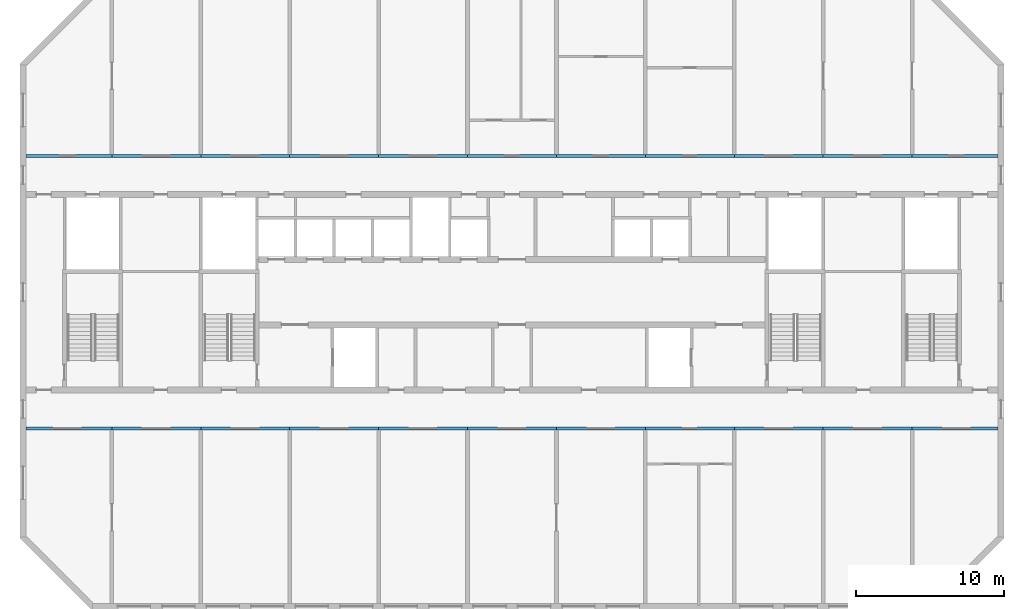
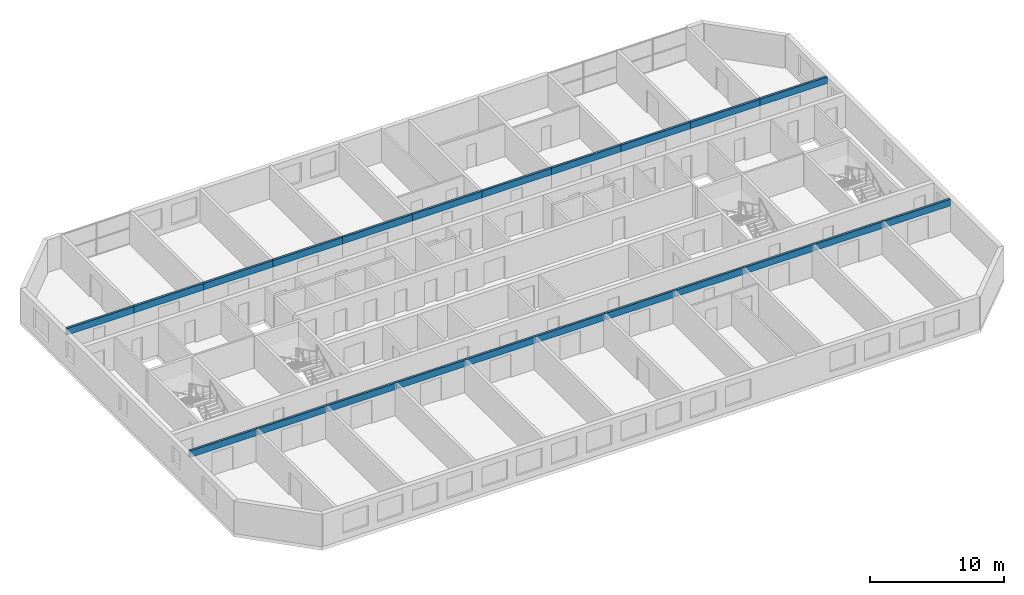
# One storey, part 1 of 13: 22 beams.
"""IFC4 building model written with IfcOpenShell, lengths in metres."""

from ifc_helpers import new_model, si_unit, direction, frame, origin, origin_2d, place, context, subcontext, project, spatial, rectangle, extrude, source, transform, mapped, material, material_profile, profile_set, type_object, element, save


model = new_model("IFC4")

# Units and contexts
model_context = context("Model", 3, precision=1e-05, world=origin(), true_north=direction((0.0, 1.0)))
body_context = subcontext(model_context, "Body", "Model", "MODEL_VIEW")
ifc_project = project(units=[si_unit("LENGTHUNIT", "METRE"), si_unit("AREAUNIT", "SQUARE_METRE"), si_unit("VOLUMEUNIT", "CUBIC_METRE"), si_unit("PLANEANGLEUNIT", "RADIAN"), si_unit("MASSUNIT", "GRAM", prefix="KILO")], contexts=[model_context])

# Site, building, storey
site_placement = place(None, origin())
site = spatial("IfcSite", under=ifc_project, at=site_placement, CompositionType="ELEMENT")
building_placement = place(site_placement, origin())
building = spatial("IfcBuilding", under=site, at=building_placement, Name="Poui Terraces", CompositionType="ELEMENT")
storey_placement = place(building_placement, frame((0.0, 0.0, 211.5)))
storey = spatial("IfcBuildingStorey", under=building, at=storey_placement, Name="L59", CompositionType="ELEMENT", Elevation=211.5)

# Beams
ifc_material = material(Name="Concrete 50 MPa", Category="concrete")
ifc_material_profile = material_profile(ifc_material, rectangle(XDim=0.199951171875, YDim=0.60009765625, at=origin_2d()), Name="RC 200x600")
ifc_profile_set = profile_set([ifc_material_profile], Name="Concrete 50 MPa")
beam_type = type_object("IfcBeamType", Name="COUPLING BEAM 200x600 50MPa", PredefinedType="BEAM", material=ifc_profile_set)
shared_shape_1 = source(origin(), body_context, "Body", "SweptSolid", [
    extrude(rectangle(XDim=0.199951171875, YDim=0.60009765625, at=origin_2d()), origin(), (0.0, 0.0, 1.0), 5.800048828125),
])
for number, where, z_axis, x_axis, name in (
    (1, (18.199951171875, 12.0, 2.64990234375), (1.0, 0.0, 0.0), (0.0, 1.0, 0.0), "COUPLING BEAM LINE B BAY 1"),
    (2, (78.0, 12.0, 2.64990234375), (1.0, 0.0, 0.0), (0.0, 1.0, 0.0), "COUPLING BEAM LINE B BAY 11"),
    (3, (18.199951171875, 30.39990234375, 2.64990234375), (1.0, 0.0, 0.0), (0.0, 1.0, 0.0), "COUPLING BEAM LINE E BAY 1"),
    (4, (78.0, 30.39990234375, 2.64990234375), (1.0, 0.0, 0.0), (0.0, 1.0, 0.0), "COUPLING BEAM LINE E BAY 11"),
):
    element("IfcBeam", number, at=place(storey_placement, frame(where, z_axis=z_axis, x_axis=x_axis)), inside=storey, type_object=beam_type, Name=name, PredefinedType="BEAM", context=body_context, shape_type="MappedRepresentation", body=[
        mapped(shared_shape_1, transform((0.0, 0.0, 0.0))),
    ])
shared_shape_2 = source(origin(), body_context, "Body", "SweptSolid", [
    extrude(rectangle(XDim=0.199951171875, YDim=0.60009765625, at=origin_2d()), origin(), (0.0, 0.0, 1.0), 6.0),
])
for number, where, z_axis, x_axis, name in (
    (5, (24.0, 12.0, 2.64990234375), (1.0, 0.0, 0.0), (0.0, 1.0, 0.0), "COUPLING BEAM LINE B BAY 2"),
    (6, (30.0, 12.0, 2.64990234375), (1.0, 0.0, 0.0), (0.0, 1.0, 0.0), "COUPLING BEAM LINE B BAY 3"),
    (7, (36.0, 12.0, 2.64990234375), (1.0, 0.0, 0.0), (0.0, 1.0, 0.0), "COUPLING BEAM LINE B BAY 4"),
    (8, (42.0, 12.0, 2.64990234375), (1.0, 0.0, 0.0), (0.0, 1.0, 0.0), "COUPLING BEAM LINE B BAY 5"),
    (9, (48.0, 12.0, 2.64990234375), (1.0, 0.0, 0.0), (0.0, 1.0, 0.0), "COUPLING BEAM LINE B BAY 6"),
    (10, (54.0, 12.0, 2.64990234375), (1.0, 0.0, 0.0), (0.0, 1.0, 0.0), "COUPLING BEAM LINE B BAY 7"),
    (11, (60.0, 12.0, 2.64990234375), (1.0, 0.0, 0.0), (0.0, 1.0, 0.0), "COUPLING BEAM LINE B BAY 8"),
    (12, (66.0, 12.0, 2.64990234375), (1.0, 0.0, 0.0), (0.0, 1.0, 0.0), "COUPLING BEAM LINE B BAY 9"),
    (13, (72.0, 12.0, 2.64990234375), (1.0, 0.0, 0.0), (0.0, 1.0, 0.0), "COUPLING BEAM LINE B BAY 10"),
    (14, (24.0, 30.39990234375, 2.64990234375), (1.0, 0.0, 0.0), (0.0, 1.0, 0.0), "COUPLING BEAM LINE E BAY 2"),
    (15, (30.0, 30.39990234375, 2.64990234375), (1.0, 0.0, 0.0), (0.0, 1.0, 0.0), "COUPLING BEAM LINE E BAY 3"),
    (16, (36.0, 30.39990234375, 2.64990234375), (1.0, 0.0, 0.0), (0.0, 1.0, 0.0), "COUPLING BEAM LINE E BAY 4"),
    (17, (42.0, 30.39990234375, 2.64990234375), (1.0, 0.0, 0.0), (0.0, 1.0, 0.0), "COUPLING BEAM LINE E BAY 5"),
    (18, (48.0, 30.39990234375, 2.64990234375), (1.0, 0.0, 0.0), (0.0, 1.0, 0.0), "COUPLING BEAM LINE E BAY 6"),
    (19, (54.0, 30.39990234375, 2.64990234375), (1.0, 0.0, 0.0), (0.0, 1.0, 0.0), "COUPLING BEAM LINE E BAY 7"),
    (20, (60.0, 30.39990234375, 2.64990234375), (1.0, 0.0, 0.0), (0.0, 1.0, 0.0), "COUPLING BEAM LINE E BAY 8"),
    (21, (66.0, 30.39990234375, 2.64990234375), (1.0, 0.0, 0.0), (0.0, 1.0, 0.0), "COUPLING BEAM LINE E BAY 9"),
    (22, (72.0, 30.39990234375, 2.64990234375), (1.0, 0.0, 0.0), (0.0, 1.0, 0.0), "COUPLING BEAM LINE E BAY 10"),
):
    element("IfcBeam", number, at=place(storey_placement, frame(where, z_axis=z_axis, x_axis=x_axis)), inside=storey, type_object=beam_type, Name=name, PredefinedType="BEAM", context=body_context, shape_type="MappedRepresentation", body=[
        mapped(shared_shape_2, transform((0.0, 0.0, 0.0))),
    ])

save(model, "model.ifc")
